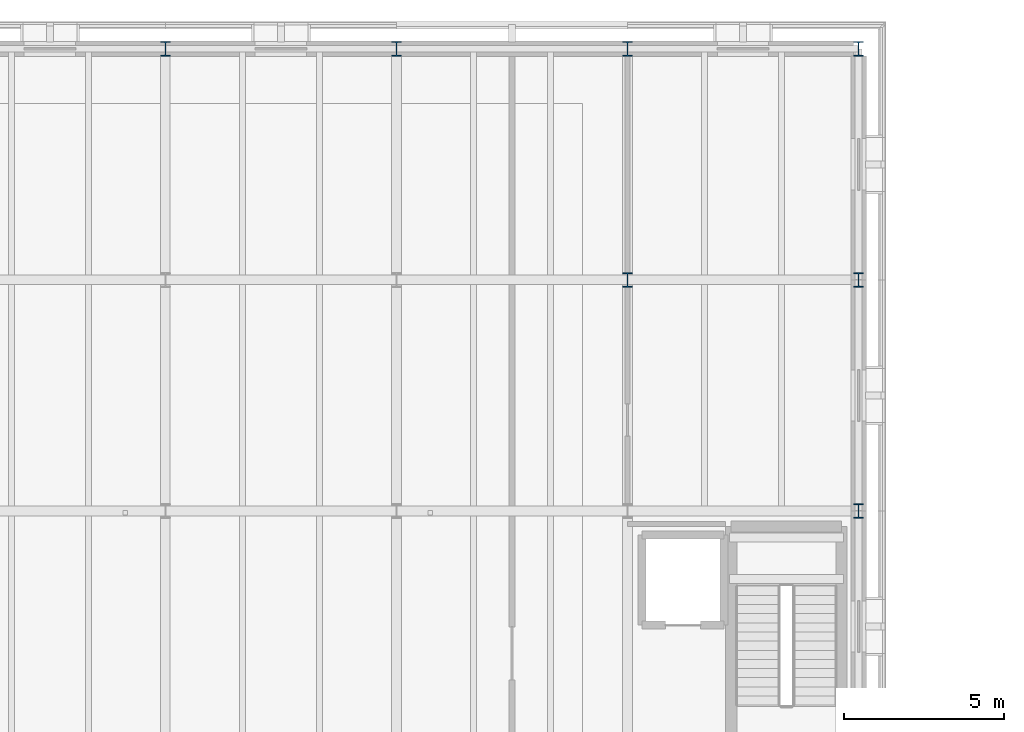
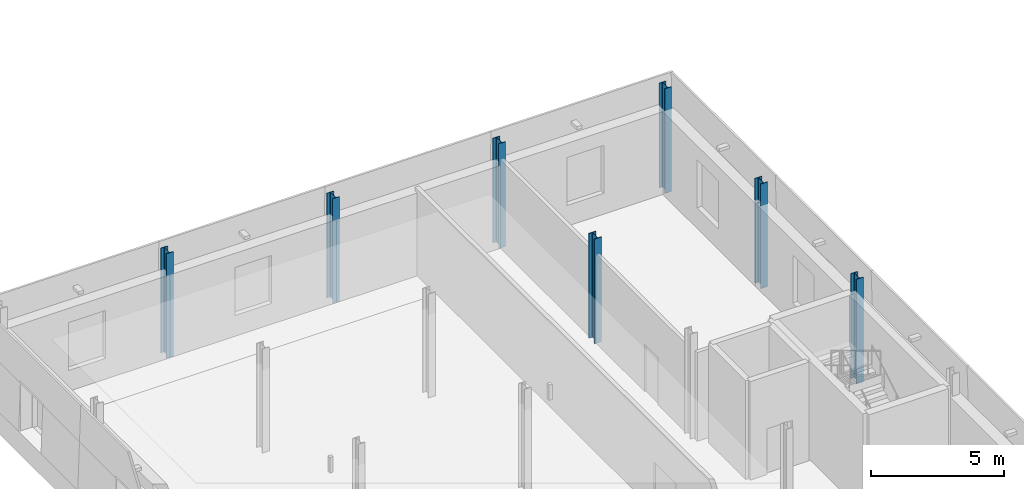
# One storey, part 11 of 121: 7 columns.
"""IFC4 building model written with IfcOpenShell, lengths in metres."""

import ifcopenshell
import ifcopenshell.guid

model = None  # the IFC model being written
_history = None  # IfcOwnerHistory: only IFC2X3 demands one
_inside = {}  # id of a spatial element -> (the spatial element, [elements in it])
_under = {}  # id of a project, library or spatial element -> (it, [spatial elements below it])
_declared = {}  # id of a project -> (the project, [libraries it declares])
_typed = {}  # id of a type object -> (the type object, [elements of that type])
_made_of = {}  # id of a material, layer set ... -> (it, [elements and type objects made of it])


def new_model(schema):
    """Start an empty IFC model of exactly this schema.

    Asked for "IFC4X3", IfcOpenShell would pick the latest addendum, in which some entities
    have other attributes; the version numbers below select the first issue.
    IFC2X3 requires an IfcOwnerHistory on every rooted entity: one is made here for all.
    """
    global model, _history
    if schema == "IFC4X3":
        model = ifcopenshell.file(schema_version=(4, 3, 0, 0))
    else:
        model = ifcopenshell.file(schema=schema)
    _inside.clear()
    _under.clear()
    _declared.clear()
    _typed.clear()
    _made_of.clear()
    _history = None
    if model.schema == "IFC2X3":
        org = make("IfcOrganization", Name="unknown")
        user = make(
            "IfcPersonAndOrganization",
            ThePerson=make("IfcPerson", FamilyName="unknown"),
            TheOrganization=org,
        )
        app = make(
            "IfcApplication",
            ApplicationDeveloper=org,
            Version="unknown",
            ApplicationFullName="unknown",
            ApplicationIdentifier="unknown",
        )
        _history = make(
            "IfcOwnerHistory",
            OwningUser=user,
            OwningApplication=app,
            ChangeAction="ADDED",
            CreationDate=0,
        )
    return model


def make(cls, **values):
    """One entity of the class cls with the attributes given. An attribute that is None is left unset."""
    return model.create_entity(
        cls, **{name: value for name, value in values.items() if value is not None}
    )


def rooted(cls, **values):
    """An entity with a GlobalId (a new one), such as an element, a storey or a relation."""
    return make(cls, GlobalId=ifcopenshell.guid.new(), OwnerHistory=_history, **values)


def si_unit(unit_type, name, prefix=None):
    """IfcSIUnit, for example si_unit("LENGTHUNIT", "METRE", prefix="MILLI")."""
    return make("IfcSIUnit", UnitType=unit_type, Prefix=prefix, Name=name)


def assignment(units):
    """IfcUnitAssignment: the units of a project."""
    return None if units is None else make("IfcUnitAssignment", Units=units)


def point(xyz):
    """IfcCartesianPoint."""
    return None if xyz is None else make("IfcCartesianPoint", Coordinates=xyz)


def direction(xyz):
    """IfcDirection."""
    return None if xyz is None else make("IfcDirection", DirectionRatios=xyz)


def frame(location, z_axis=None, x_axis=None):
    """IfcAxis2Placement3D, a coordinate frame: its origin and axes. An axis left out is left unset."""
    return make(
        "IfcAxis2Placement3D",
        Location=point(location),
        Axis=direction(z_axis),
        RefDirection=direction(x_axis),
    )


def frame_2d(location, x_axis=None):
    """IfcAxis2Placement2D, a coordinate frame in the plane: its origin and x axis."""
    return make(
        "IfcAxis2Placement2D", Location=point(location), RefDirection=direction(x_axis)
    )


def origin():
    """The frame at (0, 0, 0) with its axes left unset."""
    return frame((0.0, 0.0, 0.0))


def origin_2d():
    """The frame at (0, 0) in the plane with its x axis left unset."""
    return frame_2d((0.0, 0.0))


def place(relative_to, where):
    """IfcLocalPlacement: puts the frame where relative to a parent placement (None: the world)."""
    return make(
        "IfcLocalPlacement", PlacementRelTo=relative_to, RelativePlacement=where
    )


def context(
    kind, dimensions, precision=None, world=None, true_north=None, identifier=None
):
    """IfcGeometricRepresentationContext, for example the 3D "Model" context."""
    return make(
        "IfcGeometricRepresentationContext",
        ContextIdentifier=identifier,
        ContextType=kind,
        CoordinateSpaceDimension=dimensions,
        Precision=precision,
        WorldCoordinateSystem=world,
        TrueNorth=true_north,
    )


def subcontext(parent, identifier, kind, view, scale=None):
    """IfcGeometricRepresentationSubContext, for example "Body" below "Model"."""
    return make(
        "IfcGeometricRepresentationSubContext",
        ContextIdentifier=identifier,
        ContextType=kind,
        ParentContext=parent,
        TargetScale=scale,
        TargetView=view,
    )


def project(units=None, contexts=None):
    """IfcProject with its units and contexts."""
    return rooted(
        "IfcProject",
        Name="project",
        RepresentationContexts=contexts,
        UnitsInContext=assignment(units),
    )


def spatial(cls, under=None, at=None, **own):
    """A site, building, storey or space (cls), placed at a placement, below another one or the project."""
    s = rooted(cls, ObjectPlacement=at, **own)
    if under is not None:
        _under.setdefault(under.id(), (under, []))[1].append(s)
    return s


def profile(cls, at=None, kind="AREA", **sizes):
    """A parametric profile (cls). Its sizes go by their IFC names, for example OverallWidth=200.0."""
    return make(cls, ProfileType=kind, Position=at, **sizes)


def i_section(**sizes):
    """IfcIShapeProfileDef."""
    return profile("IfcIShapeProfileDef", **sizes)


def extrude(swept, where, along, depth):
    """IfcExtrudedAreaSolid: the profile swept, set in the frame where, extruded along a direction by depth."""
    return make(
        "IfcExtrudedAreaSolid",
        SweptArea=swept,
        Position=where,
        ExtrudedDirection=direction(along),
        Depth=depth,
    )


def shape(context_of_items, identifier, shape_type, items):
    """IfcShapeRepresentation: the items that make up one representation, for example the "Body"."""
    return make(
        "IfcShapeRepresentation",
        ContextOfItems=context_of_items,
        RepresentationIdentifier=identifier,
        RepresentationType=shape_type,
        Items=items,
    )


def material(Name=None, Category=None):
    """IfcMaterial."""
    return make("IfcMaterial", Name=Name, Category=Category)


def material_profile(
    of_material, cross_section, Name=None, Category=None, Priority=None
):
    """IfcMaterialProfile: a cross section and its material."""
    return make(
        "IfcMaterialProfile",
        Name=Name,
        Material=of_material,
        Profile=cross_section,
        Priority=Priority,
        Category=Category,
    )


def profile_set(profiles, Name=None, composite=None):
    """IfcMaterialProfileSet."""
    return make(
        "IfcMaterialProfileSet",
        Name=Name,
        MaterialProfiles=profiles,
        CompositeProfile=composite,
    )


def made_of(thing, what):
    """Note that an element or type object is made of a material, layer set ...; save() writes the relation."""
    if what is not None:
        _made_of.setdefault(what.id(), (what, []))[1].append(thing)
    return thing


def type_object(cls, material=None, **own):
    """A type object (cls), such as IfcWallType, which elements share."""
    return made_of(rooted(cls, **own), material)


def element(
    cls,
    number,
    at=None,
    inside=None,
    cuts=None,
    type_object=None,
    material=None,
    context=None,
    identifier="Body",
    shape_type=None,
    held_by="IfcProductDefinitionShape",
    body=None,
    shapes=None,
    **own,
):
    """One element of the class cls, such as IfcWall. Its Tag is "e" and its number.

    at: its placement. inside: the storey or other place that contains it. cuts: it is an
    opening in that element (IfcRelVoidsElement). A single representation is given by context,
    identifier, shape_type and body (its items); several are given by shapes. held_by: the class
    of the entity that holds the representations. save() writes the other relations.
    """
    e = rooted(cls, Tag="e%d" % number, ObjectPlacement=at, **own)
    if body is not None:
        shapes = [shape(context, identifier, shape_type, body)]
    if shapes is not None:
        e.Representation = make(held_by, Representations=shapes)
    if inside is not None:
        _inside.setdefault(inside.id(), (inside, []))[1].append(e)
    if cuts is not None:
        rooted(
            "IfcRelVoidsElement", RelatingBuildingElement=cuts, RelatedOpeningElement=e
        )
    if type_object is not None:
        _typed.setdefault(type_object.id(), (type_object, []))[1].append(e)
    return made_of(e, material)


def aggregate(whole, parts):
    """IfcRelAggregates: a whole, such as a stair, and the parts it consists of."""
    return rooted("IfcRelAggregates", RelatingObject=whole, RelatedObjects=parts)


def save(model, path):
    """Write the relations noted so far, then the file.

    IfcRelAggregates (storeys below a building ...), IfcRelContainedInSpatialStructure (elements
    in a storey), IfcRelDefinesByType, IfcRelAssociatesMaterial and IfcRelDeclares: one each for
    every whole, place, type object, material and project.
    """
    for whole, parts in _under.values():
        aggregate(whole, parts)
    for where, things in _inside.values():
        rooted(
            "IfcRelContainedInSpatialStructure",
            RelatedElements=things,
            RelatingStructure=where,
        )
    for kind, things in _typed.values():
        rooted("IfcRelDefinesByType", RelatedObjects=things, RelatingType=kind)
    for what, things in _made_of.values():
        rooted("IfcRelAssociatesMaterial", RelatedObjects=things, RelatingMaterial=what)
    for by, libraries in _declared.values():
        rooted("IfcRelDeclares", RelatingContext=by, RelatedDefinitions=libraries)
    model.write(path)


model = new_model("IFC4")

# Units and contexts
model_context = context("Model", 3, precision=1e-05, world=origin(), true_north=direction((0.0, 1.0)))
body_context = subcontext(model_context, "Body", "Model", "MODEL_VIEW")
ifc_project = project(units=[si_unit("LENGTHUNIT", "METRE"), si_unit("AREAUNIT", "SQUARE_METRE"), si_unit("VOLUMEUNIT", "CUBIC_METRE"), si_unit("PLANEANGLEUNIT", "RADIAN"), si_unit("MASSUNIT", "GRAM", prefix="KILO")], contexts=[model_context])

# Site, building, storey
site_placement = place(None, origin())
site = spatial("IfcSite", under=ifc_project, at=site_placement, CompositionType="ELEMENT")
building_placement = place(site_placement, origin())
building = spatial("IfcBuilding", under=site, at=building_placement, Name="Narikvali Park Central Library", CompositionType="ELEMENT")
storey_placement = place(building_placement, frame((0.0, 0.0, 5.39990234375)))
storey = spatial("IfcBuildingStorey", under=building, at=storey_placement, Name="L01", CompositionType="ELEMENT", Elevation=5.39990234375)

# Columns
ifc_material = material(Name="Steel S355", Category="steel")
ifc_material_profile = material_profile(ifc_material, i_section(OverallWidth=0.300048828125, OverallDepth=0.449951171875, WebThickness=0.013916015625, FlangeThickness=0.02587890625, FilletRadius=0.027099609375, at=origin_2d()), Name="HEB 450")
ifc_profile_set = profile_set([ifc_material_profile], Name="Steel S355")
column_type = type_object("IfcColumnType", Name="Steel Column HEB450", PredefinedType="COLUMN", material=ifc_profile_set)
for number, where, z_axis, x_axis, name in (
    (1, (36.0, 115.199951171875, 0.0), (0.0, 0.0, 1.0), (1.0, 0.0, 0.0), "V4 L01 Column (36.0,115.2)"),
    (2, (43.199951171875, 115.199951171875, 0.0), (0.0, 0.0, 1.0), (1.0, 0.0, 0.0), "V4 L01 Column (43.2,115.2)"),
    (3, (50.39990234375, 108.0, 0.0), (0.0, 0.0, 1.0), (1.0, 0.0, 0.0), "V4 L01 Column (50.4,108.0)"),
    (4, (50.39990234375, 115.199951171875, 0.0), (0.0, 0.0, 1.0), (1.0, 0.0, 0.0), "V4 L01 Column (50.4,115.2)"),
    (5, (57.60009765625, 100.800048828125, 0.0), (0.0, 0.0, 1.0), (1.0, 0.0, 0.0), "V4 L01 Column (57.6,100.8)"),
    (6, (57.60009765625, 108.0, 0.0), (0.0, 0.0, 1.0), (1.0, 0.0, 0.0), "V4 L01 Column (57.6,108.0)"),
    (7, (57.60009765625, 115.199951171875, 0.0), (0.0, 0.0, 1.0), (1.0, 0.0, 0.0), "V4 L01 Column (57.6,115.2)"),
):
    element("IfcColumn", number, at=place(storey_placement, frame(where, z_axis=z_axis, x_axis=x_axis)), inside=storey, type_object=column_type, Name=name, PredefinedType="COLUMN", context=body_context, shape_type="SweptSolid", body=[
        extrude(i_section(OverallWidth=0.300048828125, OverallDepth=0.449951171875, WebThickness=0.013916015625, FlangeThickness=0.02587890625, FilletRadius=0.027099609375, at=origin_2d()), origin(), (0.0, 0.0, 1.0), 4.800048828125),
    ])

save(model, "model.ifc")
